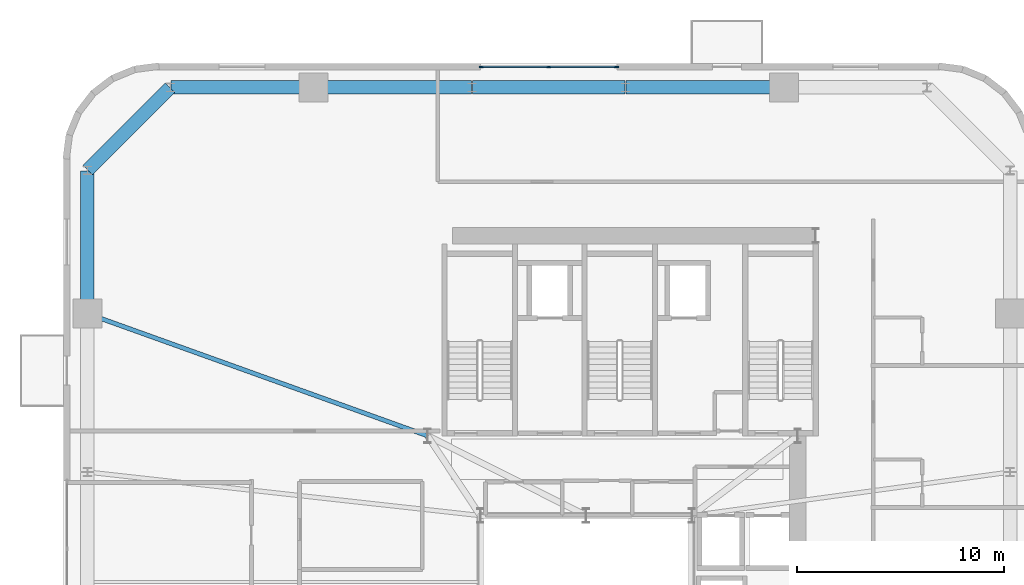
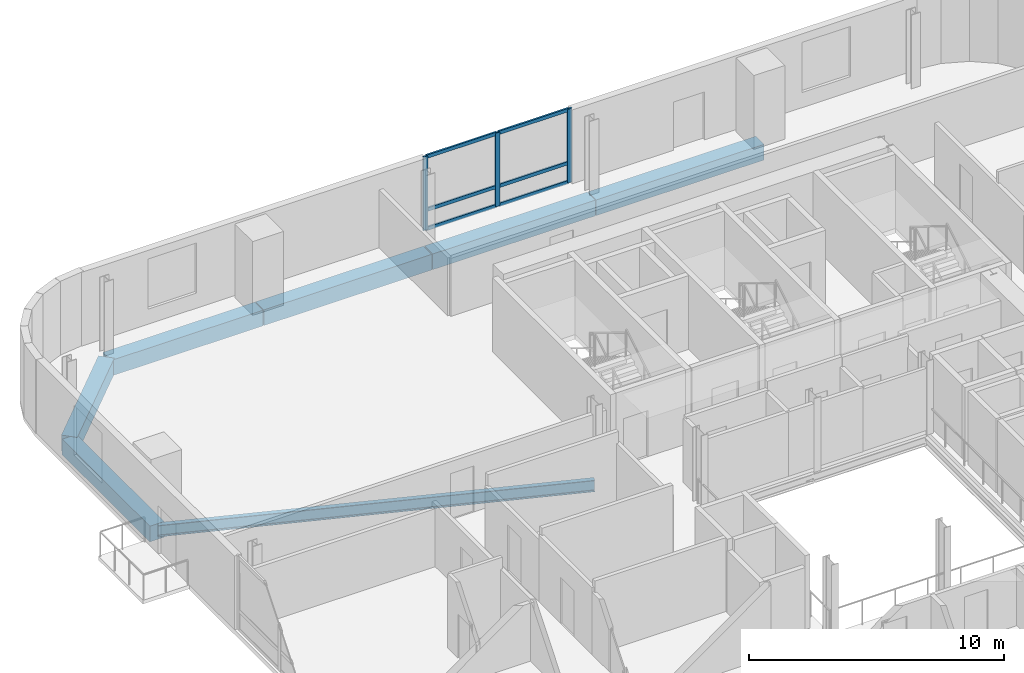
# One storey, part 6 of 16: 9 members, 7 beams, 1 element without a shape of its own.
"""IFC4 building model written with IfcOpenShell, lengths in metres."""

from ifc_helpers import new_model, si_unit, direction, frame, origin, origin_2d, place, context, subcontext, project, spatial, rectangle, i_section, extrude, source, transform, mapped, material, material_profile, profile_set, type_object, element, aggregate, save


model = new_model("IFC4")

# Units and contexts
model_context = context("Model", 3, precision=1e-05, world=origin(), true_north=direction((0.0, 1.0)))
body_context = subcontext(model_context, "Body", "Model", "MODEL_VIEW")
ifc_project = project(units=[si_unit("LENGTHUNIT", "METRE"), si_unit("AREAUNIT", "SQUARE_METRE"), si_unit("VOLUMEUNIT", "CUBIC_METRE"), si_unit("PLANEANGLEUNIT", "RADIAN"), si_unit("MASSUNIT", "GRAM", prefix="KILO")], contexts=[model_context])

# Site, building, storey
site_placement = place(None, origin())
site = spatial("IfcSite", under=ifc_project, at=site_placement, CompositionType="ELEMENT")
building_placement = place(site_placement, origin())
building = spatial("IfcBuilding", under=site, at=building_placement, Name="Vardaveli Station Tower", CompositionType="ELEMENT")
storey_placement = place(building_placement, frame((0.0, 0.0, 184.800048828125)))
storey = spatial("IfcBuildingStorey", under=building, at=storey_placement, Name="L47", CompositionType="ELEMENT", Elevation=184.800048828125)

# Beams
ifc_material_1 = material(Name="Precast concrete C45/55", Category="concrete")
ifc_material_profile_1 = material_profile(ifc_material_1, rectangle(XDim=0.64990234375, YDim=0.75, at=origin_2d()), Name="LPB 650x750")
ifc_profile_set_1 = profile_set([ifc_material_profile_1], Name="Precast concrete C45/55")
beam_type_1 = type_object("IfcBeamType", Name="BM-LPB-750", PredefinedType="BEAM", material=ifc_profile_set_1)
shared_shape_1 = source(origin(), body_context, "Body", "SweptSolid", [
    extrude(rectangle(XDim=0.64990234375, YDim=0.75, at=origin_2d()), origin(), (0.0, 0.0, 1.0), 7.60009765625),
])
for number, where, z_axis, x_axis, name in (
    (1, (45.820068359375, 47.449951171875, -0.594970703125), (-1.0, 0.0, 0.0), (0.0, -1.0, 0.0), "RBM-L47-13"),
    (2, (30.780029296875, 47.449951171875, -0.594970703125), (-1.0, 0.0, 0.0), (0.0, -1.0, 0.0), "RBM-L47-15"),
):
    element("IfcBeam", number, at=place(storey_placement, frame(where, z_axis=z_axis, x_axis=x_axis)), inside=storey, type_object=beam_type_1, Name=name, PredefinedType="BEAM", context=body_context, shape_type="MappedRepresentation", body=[
        mapped(shared_shape_1, transform((0.0, 0.0, 0.0), scale=1.0)),
    ])
shared_shape_2 = source(origin(), body_context, "Body", "SweptSolid", [
    extrude(rectangle(XDim=0.64990234375, YDim=0.75, at=origin_2d()), origin(), (0.0, 0.0, 1.0), 7.35986328125),
])
beam_1_placement = place(storey_placement, frame((38.179931640625, 47.449951171875, -0.594970703125), z_axis=(-1.0, 0.0, 0.0), x_axis=(0.0, -1.0, 0.0)))
element("IfcBeam", 3, at=beam_1_placement, inside=storey, type_object=beam_type_1, Name="RBM-L47-14", PredefinedType="BEAM", context=body_context, shape_type="MappedRepresentation", body=[
    mapped(shared_shape_2, transform((0.0, 0.0, 0.0), scale=1.0)),
])
shared_shape_3 = source(origin(), body_context, "Body", "SweptSolid", [
    extrude(rectangle(XDim=0.64990234375, YDim=0.75, at=origin_2d()), origin(), (0.0, 0.0, 1.0), 6.869873046875),
])
for number, where, z_axis, x_axis, name in (
    (4, (23.139892578125, 47.449951171875, -0.594970703125), (-1.0, 0.0, 0.0), (0.0, -1.0, 0.0), "RBM-L47-16"),
    (5, (12.25, 43.429931640625, -0.594970703125), (0.0, -1.0, 0.0), (1.0, 0.0, 0.0), "RBM-L47-18"),
):
    element("IfcBeam", number, at=place(storey_placement, frame(where, z_axis=z_axis, x_axis=x_axis)), inside=storey, type_object=beam_type_1, Name=name, PredefinedType="BEAM", context=body_context, shape_type="MappedRepresentation", body=[
        mapped(shared_shape_3, transform((0.0, 0.0, 0.0), scale=1.0)),
    ])
shared_shape_4 = source(origin(), body_context, "Body", "SweptSolid", [
    extrude(rectangle(XDim=0.64990234375, YDim=0.75, at=origin_2d()), origin(), (0.0, 0.0, 1.0), 5.61669921875),
])
beam_2_placement = place(storey_placement, frame((16.23583984375, 47.435791015625, -0.594970703125), z_axis=(-0.707106781187, -0.707106781187, 0.0), x_axis=(0.707106781187, -0.707106781187, 0.0)))
element("IfcBeam", 6, at=beam_2_placement, inside=storey, type_object=beam_type_1, Name="RBM-L47-17", PredefinedType="BEAM", context=body_context, shape_type="MappedRepresentation", body=[
    mapped(shared_shape_4, transform((0.0, 0.0, 0.0), scale=1.0)),
])
ifc_material_2 = material(Name="Structural steel S355J2", Category="steel")
ifc_material_profile_2 = material_profile(ifc_material_2, i_section(OverallWidth=0.2099609375, OverallDepth=0.550048828125, WebThickness=0.010986328125, FlangeThickness=0.01708984375, FilletRadius=0.02392578125, at=origin_2d()), Name="IPE 550")
ifc_profile_set_2 = profile_set([ifc_material_profile_2], Name="Structural steel S355J2")
beam_type_2 = type_object("IfcBeamType", Name="BM-IPE550", PredefinedType="BEAM", material=ifc_profile_set_2)
shared_shape_5 = source(origin(), body_context, "Body", "SweptSolid", [
    extrude(i_section(OverallWidth=0.2099609375, OverallDepth=0.550048828125, WebThickness=0.010986328125, FlangeThickness=0.01708984375, FilletRadius=0.02392578125, at=origin_2d()), origin(), (0.0, 0.0, 1.0), 17.385498046875),
])
beam_3_placement = place(storey_placement, frame((12.268798828125, 36.533203125, -0.4951171875), z_axis=(0.941143134401, -0.338008284766, 0.0), x_axis=(0.338008284766, 0.941143134401, 0.0)))
element("IfcBeam", 7, at=beam_3_placement, inside=storey, type_object=beam_type_2, Name="GBM-L47-12", PredefinedType="BEAM", context=body_context, shape_type="MappedRepresentation", body=[
    mapped(shared_shape_5, transform((0.0, 0.0, 0.0), scale=1.0)),
])

# Curtain wall, members
ifc_material_3 = material(Name="Travertine stone and solar-control glass", Category="masonry")
curtain_wall_type = type_object("IfcCurtainWallType", Name="CW-SYS-5", PredefinedType="NOTDEFINED", material=ifc_material_3)
curtain_wall_placement = place(storey_placement, origin())
curtain_wall = element("IfcCurtainWall", 8, at=curtain_wall_placement, inside=storey, type_object=curtain_wall_type, Name="CW-L47-N", PredefinedType="NOTDEFINED")
ifc_material_4 = material(Name="Anodised aluminium alloy 6063-T6", Category="aluminium")
ifc_material_profile_3 = material_profile(ifc_material_4, rectangle(XDim=0.080078125, YDim=0.1650390625, at=origin_2d()), Name="CWT 80x165")
ifc_profile_set_3 = profile_set([ifc_material_profile_3], Name="Anodised aluminium alloy 6063-T6")
member_type_1 = type_object("IfcMemberType", Name="CW-SYS-5-TRAN", PredefinedType="NOTDEFINED", material=ifc_profile_set_3)
shared_shape_6 = source(origin(), body_context, "Body", "SweptSolid", [
    extrude(rectangle(XDim=0.080078125, YDim=0.1650390625, at=origin_2d()), origin(), (0.0, 0.0, 1.0), 3.179931640625),
])
member_1_placement = place(storey_placement, frame((37.719970703125, 48.43994140625, 0.0400390625), z_axis=(-1.0, 0.0, 0.0), x_axis=(0.0, -1.0, 0.0)))
member_1 = element("IfcMember", 9, at=member_1_placement, type_object=member_type_1, Name="CW-5 transom 1.1", ObjectType="TRANSOM", PredefinedType="USERDEFINED", context=body_context, shape_type="MappedRepresentation", body=[
    mapped(shared_shape_6, transform((0.0, 0.0, 0.0), scale=1.0)),
])
member_2_placement = place(storey_placement, frame((37.719970703125, 48.43994140625, 0.949951171875), z_axis=(-1.0, 0.0, 0.0), x_axis=(0.0, -1.0, 0.0)))
member_2 = element("IfcMember", 10, at=member_2_placement, type_object=member_type_1, Name="CW-5 transom 1.2", ObjectType="TRANSOM", PredefinedType="USERDEFINED", context=body_context, shape_type="MappedRepresentation", body=[
    mapped(shared_shape_6, transform((0.0, 0.0, 0.0), scale=1.0)),
])
member_3_placement = place(storey_placement, frame((37.719970703125, 48.43994140625, 3.489990234375), z_axis=(-1.0, 0.0, 0.0), x_axis=(0.0, -1.0, 0.0)))
member_3 = element("IfcMember", 11, at=member_3_placement, type_object=member_type_1, Name="CW-5 transom 1.3", ObjectType="TRANSOM", PredefinedType="USERDEFINED", context=body_context, shape_type="MappedRepresentation", body=[
    mapped(shared_shape_6, transform((0.0, 0.0, 0.0), scale=1.0)),
])
member_4_placement = place(storey_placement, frame((34.4599609375, 48.43994140625, 0.0400390625), z_axis=(-1.0, 0.0, 0.0), x_axis=(0.0, -1.0, 0.0)))
member_4 = element("IfcMember", 12, at=member_4_placement, type_object=member_type_1, Name="CW-5 transom 2.1", ObjectType="TRANSOM", PredefinedType="USERDEFINED", context=body_context, shape_type="MappedRepresentation", body=[
    mapped(shared_shape_6, transform((0.0, 0.0, 0.0), scale=1.0)),
])
member_5_placement = place(storey_placement, frame((34.4599609375, 48.43994140625, 0.949951171875), z_axis=(-1.0, 0.0, 0.0), x_axis=(0.0, -1.0, 0.0)))
member_5 = element("IfcMember", 13, at=member_5_placement, type_object=member_type_1, Name="CW-5 transom 2.2", ObjectType="TRANSOM", PredefinedType="USERDEFINED", context=body_context, shape_type="MappedRepresentation", body=[
    mapped(shared_shape_6, transform((0.0, 0.0, 0.0), scale=1.0)),
])
member_6_placement = place(storey_placement, frame((34.4599609375, 48.43994140625, 3.489990234375), z_axis=(-1.0, 0.0, 0.0), x_axis=(0.0, -1.0, 0.0)))
member_6 = element("IfcMember", 14, at=member_6_placement, type_object=member_type_1, Name="CW-5 transom 2.3", ObjectType="TRANSOM", PredefinedType="USERDEFINED", context=body_context, shape_type="MappedRepresentation", body=[
    mapped(shared_shape_6, transform((0.0, 0.0, 0.0), scale=1.0)),
])
ifc_material_profile_4 = material_profile(ifc_material_4, rectangle(XDim=0.080078125, YDim=0.205078125, at=origin_2d()), Name="CWM 80x205")
ifc_profile_set_4 = profile_set([ifc_material_profile_4], Name="Anodised aluminium alloy 6063-T6")
member_type_2 = type_object("IfcMemberType", Name="CW-SYS-5-MULL", PredefinedType="MULLION", material=ifc_profile_set_4)
shared_shape_7 = source(origin(), body_context, "Body", "SweptSolid", [
    extrude(rectangle(XDim=0.080078125, YDim=0.205078125, at=origin_2d()), origin(), (0.0, 0.0, 1.0), 3.530029296875),
])
member_7_placement = place(storey_placement, frame((37.760009765625, 48.43994140625, 0.0), z_axis=(0.0, 0.0, 1.0), x_axis=(0.0, -1.0, 0.0)))
member_7 = element("IfcMember", 15, at=member_7_placement, type_object=member_type_2, Name="CW-5 mullion 1", PredefinedType="MULLION", context=body_context, shape_type="MappedRepresentation", body=[
    mapped(shared_shape_7, transform((0.0, 0.0, 0.0), scale=1.0)),
])
member_8_placement = place(storey_placement, frame((34.5, 48.43994140625, 0.0), z_axis=(0.0, 0.0, 1.0), x_axis=(0.0, -1.0, 0.0)))
member_8 = element("IfcMember", 16, at=member_8_placement, type_object=member_type_2, Name="CW-5 mullion 2", PredefinedType="MULLION", context=body_context, shape_type="MappedRepresentation", body=[
    mapped(shared_shape_7, transform((0.0, 0.0, 0.0), scale=1.0)),
])
member_9_placement = place(storey_placement, frame((31.239990234375, 48.43994140625, 0.0), z_axis=(0.0, 0.0, 1.0), x_axis=(0.0, -1.0, 0.0)))
member_9 = element("IfcMember", 17, at=member_9_placement, type_object=member_type_2, Name="CW-5 mullion 3", PredefinedType="MULLION", context=body_context, shape_type="MappedRepresentation", body=[
    mapped(shared_shape_7, transform((0.0, 0.0, 0.0), scale=1.0)),
])
aggregate(curtain_wall, [member_7, member_8, member_9, member_1, member_2, member_3, member_4, member_5, member_6])

save(model, "model.ifc")
